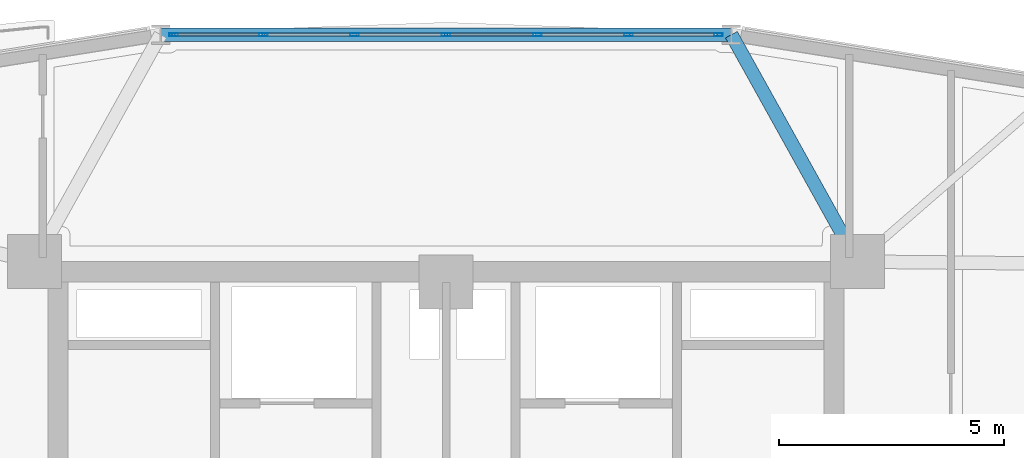
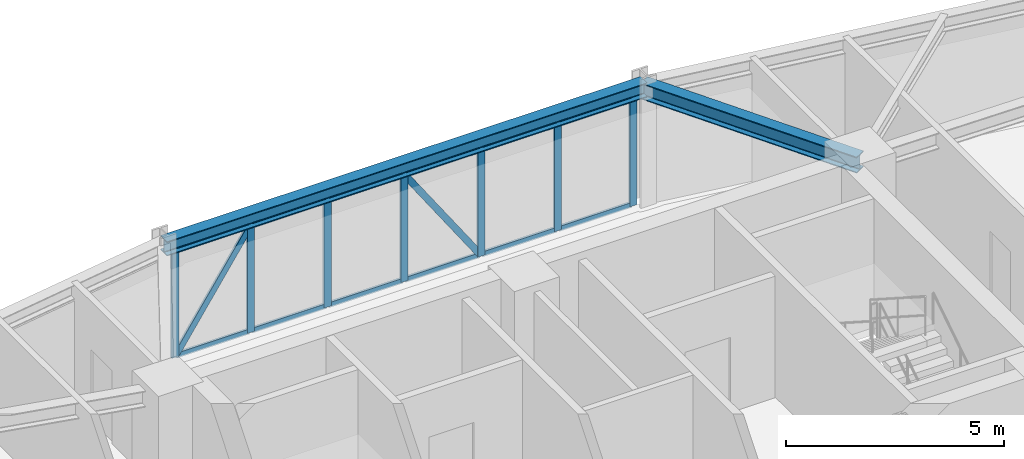
# One storey, part 10 of 18: 21 members, 2 beams, 1 element without a shape of its own.
"""IFC4 building model written with IfcOpenShell, lengths in metres."""

from ifc_helpers import new_model, si_unit, derived_unit, direction, frame, origin, origin_2d, place, context, subcontext, project, spatial, hollow_rectangle, i_section, extrude, source, transform, mapped, material, layer, layer_set, material_profile, profile_set, type_object, element, aggregate, save


model = new_model("IFC4")

# Units and contexts
model_context = context("Model", 3, precision=1e-05, world=origin(), true_north=direction((0.0, 1.0)))
body_context = subcontext(model_context, "Body", "Model", "MODEL_VIEW")
ifc_project = project(units=[si_unit("LENGTHUNIT", "METRE"), si_unit("AREAUNIT", "SQUARE_METRE"), si_unit("VOLUMEUNIT", "CUBIC_METRE"), si_unit("PLANEANGLEUNIT", "RADIAN"), si_unit("MASSUNIT", "GRAM", prefix="KILO"), derived_unit("THERMALTRANSMITTANCEUNIT", [(si_unit("POWERUNIT", "WATT"), 1), (si_unit("LENGTHUNIT", "METRE"), -2), (si_unit("THERMODYNAMICTEMPERATUREUNIT", "KELVIN"), -1)])], contexts=[model_context])

# Site, building, storey
site_placement = place(None, origin())
site = spatial("IfcSite", under=ifc_project, at=site_placement, CompositionType="ELEMENT")
building_placement = place(site_placement, origin())
building = spatial("IfcBuilding", under=site, at=building_placement, Name="Korsvarv Bourse and Concert Hall", CompositionType="ELEMENT")
storey_placement = place(building_placement, frame((0.0, 0.0, 168.60009765625)))
storey = spatial("IfcBuildingStorey", under=building, at=storey_placement, Name="L43", CompositionType="ELEMENT", Elevation=168.60009765625)

# Beams
ifc_material_1 = material(Name="Steel S355", Category="steel")
ifc_material_profile_1 = material_profile(ifc_material_1, i_section(OverallWidth=0.300048828125, OverallDepth=0.39990234375, WebThickness=0.013427734375, FlangeThickness=0.02392578125, FilletRadius=0.02099609375, at=origin_2d()), Name="HEB 400")
ifc_profile_set_1 = profile_set([ifc_material_profile_1], Name="Steel S355")
beam_type_1 = type_object("IfcBeamType", Name="BM-HEB400", PredefinedType="SPANDREL", material=ifc_profile_set_1)
shared_shape_1 = source(origin(), body_context, "Body", "SweptSolid", [
    extrude(i_section(OverallWidth=0.300048828125, OverallDepth=0.39990234375, WebThickness=0.013427734375, FlangeThickness=0.02392578125, FilletRadius=0.02099609375, at=origin_2d()), origin(), (0.0, 0.0, 1.0), 12.69189453125),
])
beam_1_placement = place(storey_placement, frame((42.345947265625, 52.2958984375, 3.199951171875), z_axis=(-1.0, 0.0, 0.0), x_axis=(0.0, -1.0, 0.0)))
element("IfcBeam", 1, at=beam_1_placement, inside=storey, type_object=beam_type_1, Name="L43 beam B-09", PredefinedType="SPANDREL", context=body_context, shape_type="MappedRepresentation", body=[
    mapped(shared_shape_1, transform((0.0, 0.0, 0.0), scale=1.0)),
])
ifc_material_profile_2 = material_profile(ifc_material_1, i_section(OverallWidth=0.300048828125, OverallDepth=0.449951171875, WebThickness=0.013916015625, FlangeThickness=0.02587890625, FilletRadius=0.02099609375, at=origin_2d()), Name="HEB 450")
ifc_profile_set_2 = profile_set([ifc_material_profile_2], Name="Steel S355")
beam_type_2 = type_object("IfcBeamType", Name="BM-HEB450", PredefinedType="SPANDREL", material=ifc_profile_set_2)
shared_shape_2 = source(origin(), body_context, "Body", "SweptSolid", [
    extrude(i_section(OverallWidth=0.300048828125, OverallDepth=0.449951171875, WebThickness=0.013916015625, FlangeThickness=0.02587890625, FilletRadius=0.02099609375, at=origin_2d()), origin(), (0.0, 0.0, 1.0), 5.772705078125),
])
beam_2_placement = place(storey_placement, frame((42.345947265625, 52.2958984375, 3.1748046875), z_axis=(0.485732701051, -0.874107397938, 0.0), x_axis=(0.874107397938, 0.485732701051, 0.0)))
element("IfcBeam", 2, at=beam_2_placement, inside=storey, type_object=beam_type_2, Name="L43 beam B-08", PredefinedType="SPANDREL", context=body_context, shape_type="MappedRepresentation", body=[
    mapped(shared_shape_2, transform((0.0, 0.0, 0.0), scale=1.0)),
])

# Curtain wall, members
ifc_material_2 = material(Name="Anodised aluminium and triple low-E glazing", Category="glass")
ifc_layer = layer(ifc_material_2, 0.2099609375)
ifc_layer_set = layer_set([ifc_layer], Name="Anodised aluminium and triple low-E glazing")
curtain_wall_type = type_object("IfcCurtainWallType", Name="CW-SYS-2", PredefinedType="NOTDEFINED", material=ifc_layer_set)
curtain_wall_placement = place(storey_placement, origin())
curtain_wall = element("IfcCurtainWall", 3, at=curtain_wall_placement, inside=storey, type_object=curtain_wall_type, Name="L43 CW2 curtain wall CW-L43-F03", PredefinedType="NOTDEFINED")
ifc_material_3 = material(Name="Extruded aluminium EN AW-6063 T66", Category="aluminium")
ifc_material_profile_3 = material_profile(ifc_material_3, hollow_rectangle(XDim=0.070068359375, YDim=0.18994140625, WallThickness=0.0048828125, at=origin_2d()), Name="ALU-M 70x190")
ifc_profile_set_3 = profile_set([ifc_material_profile_3], Name="Extruded aluminium EN AW-6063 T66")
member_type_1 = type_object("IfcMemberType", Name="CWM-190", PredefinedType="MULLION", material=ifc_profile_set_3)
shared_shape_3 = source(origin(), body_context, "Body", "SweptSolid", [
    extrude(hollow_rectangle(XDim=0.070068359375, YDim=0.18994140625, WallThickness=0.0048828125, at=origin_2d()), origin(), (0.0, 0.0, 1.0), 3.0),
])
member_1_placement = place(storey_placement, frame((42.054931640625, 52.2958984375, 0.0), z_axis=(0.0, 0.0, 1.0), x_axis=(0.0, -1.0, 0.0)))
member_1 = element("IfcMember", 4, at=member_1_placement, type_object=member_type_1, Name="CW2 mullion 1", PredefinedType="MULLION", context=body_context, shape_type="MappedRepresentation", body=[
    mapped(shared_shape_3, transform((0.0, 0.0, 0.0), scale=1.0)),
])
member_2_placement = place(storey_placement, frame((40.06005859375, 52.2958984375, 0.0), z_axis=(0.0, 0.0, 1.0), x_axis=(0.0, -1.0, 0.0)))
member_2 = element("IfcMember", 5, at=member_2_placement, type_object=member_type_1, Name="CW2 mullion 2", PredefinedType="MULLION", context=body_context, shape_type="MappedRepresentation", body=[
    mapped(shared_shape_3, transform((0.0, 0.0, 0.0), scale=1.0)),
])
member_3_placement = place(storey_placement, frame((38.030029296875, 52.2958984375, 0.0), z_axis=(0.0, 0.0, 1.0), x_axis=(0.0, -1.0, 0.0)))
member_3 = element("IfcMember", 6, at=member_3_placement, type_object=member_type_1, Name="CW2 mullion 3", PredefinedType="MULLION", context=body_context, shape_type="MappedRepresentation", body=[
    mapped(shared_shape_3, transform((0.0, 0.0, 0.0), scale=1.0)),
])
member_4_placement = place(storey_placement, frame((36.0, 52.2958984375, 0.0), z_axis=(0.0, 0.0, 1.0), x_axis=(0.0, -1.0, 0.0)))
member_4 = element("IfcMember", 7, at=member_4_placement, type_object=member_type_1, Name="CW2 mullion 4", PredefinedType="MULLION", context=body_context, shape_type="MappedRepresentation", body=[
    mapped(shared_shape_3, transform((0.0, 0.0, 0.0), scale=1.0)),
])
member_5_placement = place(storey_placement, frame((33.969970703125, 52.2958984375, 0.0), z_axis=(0.0, 0.0, 1.0), x_axis=(0.0, -1.0, 0.0)))
member_5 = element("IfcMember", 8, at=member_5_placement, type_object=member_type_1, Name="CW2 mullion 5", PredefinedType="MULLION", context=body_context, shape_type="MappedRepresentation", body=[
    mapped(shared_shape_3, transform((0.0, 0.0, 0.0), scale=1.0)),
])
member_6_placement = place(storey_placement, frame((31.93994140625, 52.2958984375, 0.0), z_axis=(0.0, 0.0, 1.0), x_axis=(0.0, -1.0, 0.0)))
member_6 = element("IfcMember", 9, at=member_6_placement, type_object=member_type_1, Name="CW2 mullion 6", PredefinedType="MULLION", context=body_context, shape_type="MappedRepresentation", body=[
    mapped(shared_shape_3, transform((0.0, 0.0, 0.0), scale=1.0)),
])
member_7_placement = place(storey_placement, frame((29.945068359375, 52.2958984375, 0.0), z_axis=(0.0, 0.0, 1.0), x_axis=(0.0, -1.0, 0.0)))
member_7 = element("IfcMember", 10, at=member_7_placement, type_object=member_type_1, Name="CW2 mullion 7", PredefinedType="MULLION", context=body_context, shape_type="MappedRepresentation", body=[
    mapped(shared_shape_3, transform((0.0, 0.0, 0.0), scale=1.0)),
])
ifc_material_profile_4 = material_profile(ifc_material_3, hollow_rectangle(XDim=0.06494140625, YDim=0.139892578125, WallThickness=0.00390625, at=origin_2d()), Name="ALU-T 65x140")
ifc_profile_set_4 = profile_set([ifc_material_profile_4], Name="Extruded aluminium EN AW-6063 T66")
member_type_2 = type_object("IfcMemberType", Name="CWT-140", PredefinedType="USERDEFINED", material=ifc_profile_set_4)
shared_shape_4 = source(origin(), body_context, "Body", "SweptSolid", [
    extrude(hollow_rectangle(XDim=0.06494140625, YDim=0.139892578125, WallThickness=0.00390625, at=origin_2d()), origin(), (0.0, 0.0, 1.0), 1.925048828125),
])
member_8_placement = place(storey_placement, frame((42.02001953125, 52.2958984375, 0.032470703125), z_axis=(-1.0, 0.0, 0.0), x_axis=(0.0, -1.0, 0.0)))
member_8 = element("IfcMember", 11, at=member_8_placement, type_object=member_type_2, Name="CW2 transom 1.1", ObjectType="TRANSOM", PredefinedType="USERDEFINED", context=body_context, shape_type="MappedRepresentation", body=[
    mapped(shared_shape_4, transform((0.0, 0.0, 0.0), scale=1.0)),
])
member_9_placement = place(storey_placement, frame((42.02001953125, 52.2958984375, 2.96728515625), z_axis=(-1.0, 0.0, 0.0), x_axis=(0.0, -1.0, 0.0)))
member_9 = element("IfcMember", 12, at=member_9_placement, type_object=member_type_2, Name="CW2 transom 1.2", ObjectType="TRANSOM", PredefinedType="USERDEFINED", context=body_context, shape_type="MappedRepresentation", body=[
    mapped(shared_shape_4, transform((0.0, 0.0, 0.0), scale=1.0)),
])
member_10_placement = place(storey_placement, frame((31.905029296875, 52.2958984375, 0.032470703125), z_axis=(-1.0, 0.0, 0.0), x_axis=(0.0, -1.0, 0.0)))
member_10 = element("IfcMember", 13, at=member_10_placement, type_object=member_type_2, Name="CW2 transom 6.1", ObjectType="TRANSOM", PredefinedType="USERDEFINED", context=body_context, shape_type="MappedRepresentation", body=[
    mapped(shared_shape_4, transform((0.0, 0.0, 0.0), scale=1.0)),
])
member_11_placement = place(storey_placement, frame((31.905029296875, 52.2958984375, 2.96728515625), z_axis=(-1.0, 0.0, 0.0), x_axis=(0.0, -1.0, 0.0)))
member_11 = element("IfcMember", 14, at=member_11_placement, type_object=member_type_2, Name="CW2 transom 6.2", ObjectType="TRANSOM", PredefinedType="USERDEFINED", context=body_context, shape_type="MappedRepresentation", body=[
    mapped(shared_shape_4, transform((0.0, 0.0, 0.0), scale=1.0)),
])
shared_shape_5 = source(origin(), body_context, "Body", "SweptSolid", [
    extrude(hollow_rectangle(XDim=0.06494140625, YDim=0.139892578125, WallThickness=0.00390625, at=origin_2d()), origin(), (0.0, 0.0, 1.0), 1.9599609375),
])
member_12_placement = place(storey_placement, frame((40.02490234375, 52.2958984375, 0.032470703125), z_axis=(-1.0, 0.0, 0.0), x_axis=(0.0, -1.0, 0.0)))
member_12 = element("IfcMember", 15, at=member_12_placement, type_object=member_type_2, Name="CW2 transom 2.1", ObjectType="TRANSOM", PredefinedType="USERDEFINED", context=body_context, shape_type="MappedRepresentation", body=[
    mapped(shared_shape_5, transform((0.0, 0.0, 0.0), scale=1.0)),
])
member_13_placement = place(storey_placement, frame((40.02490234375, 52.2958984375, 2.96728515625), z_axis=(-1.0, 0.0, 0.0), x_axis=(0.0, -1.0, 0.0)))
member_13 = element("IfcMember", 16, at=member_13_placement, type_object=member_type_2, Name="CW2 transom 2.2", ObjectType="TRANSOM", PredefinedType="USERDEFINED", context=body_context, shape_type="MappedRepresentation", body=[
    mapped(shared_shape_5, transform((0.0, 0.0, 0.0), scale=1.0)),
])
member_14_placement = place(storey_placement, frame((33.93505859375, 52.2958984375, 0.032470703125), z_axis=(-1.0, 0.0, 0.0), x_axis=(0.0, -1.0, 0.0)))
member_14 = element("IfcMember", 17, at=member_14_placement, type_object=member_type_2, Name="CW2 transom 5.1", ObjectType="TRANSOM", PredefinedType="USERDEFINED", context=body_context, shape_type="MappedRepresentation", body=[
    mapped(shared_shape_5, transform((0.0, 0.0, 0.0), scale=1.0)),
])
member_15_placement = place(storey_placement, frame((33.93505859375, 52.2958984375, 2.96728515625), z_axis=(-1.0, 0.0, 0.0), x_axis=(0.0, -1.0, 0.0)))
member_15 = element("IfcMember", 18, at=member_15_placement, type_object=member_type_2, Name="CW2 transom 5.2", ObjectType="TRANSOM", PredefinedType="USERDEFINED", context=body_context, shape_type="MappedRepresentation", body=[
    mapped(shared_shape_5, transform((0.0, 0.0, 0.0), scale=1.0)),
])
shared_shape_6 = source(origin(), body_context, "Body", "SweptSolid", [
    extrude(hollow_rectangle(XDim=0.06494140625, YDim=0.139892578125, WallThickness=0.00390625, at=origin_2d()), origin(), (0.0, 0.0, 1.0), 1.960205078125),
])
member_16_placement = place(storey_placement, frame((37.9951171875, 52.2958984375, 0.032470703125), z_axis=(-1.0, 0.0, 0.0), x_axis=(0.0, -1.0, 0.0)))
member_16 = element("IfcMember", 19, at=member_16_placement, type_object=member_type_2, Name="CW2 transom 3.1", ObjectType="TRANSOM", PredefinedType="USERDEFINED", context=body_context, shape_type="MappedRepresentation", body=[
    mapped(shared_shape_6, transform((0.0, 0.0, 0.0), scale=1.0)),
])
member_17_placement = place(storey_placement, frame((37.9951171875, 52.2958984375, 2.96728515625), z_axis=(-1.0, 0.0, 0.0), x_axis=(0.0, -1.0, 0.0)))
member_17 = element("IfcMember", 20, at=member_17_placement, type_object=member_type_2, Name="CW2 transom 3.2", ObjectType="TRANSOM", PredefinedType="USERDEFINED", context=body_context, shape_type="MappedRepresentation", body=[
    mapped(shared_shape_6, transform((0.0, 0.0, 0.0), scale=1.0)),
])
member_18_placement = place(storey_placement, frame((35.965087890625, 52.2958984375, 0.032470703125), z_axis=(-1.0, 0.0, 0.0), x_axis=(0.0, -1.0, 0.0)))
member_18 = element("IfcMember", 21, at=member_18_placement, type_object=member_type_2, Name="CW2 transom 4.1", ObjectType="TRANSOM", PredefinedType="USERDEFINED", context=body_context, shape_type="MappedRepresentation", body=[
    mapped(shared_shape_6, transform((0.0, 0.0, 0.0), scale=1.0)),
])
member_19_placement = place(storey_placement, frame((35.965087890625, 52.2958984375, 2.96728515625), z_axis=(-1.0, 0.0, 0.0), x_axis=(0.0, -1.0, 0.0)))
member_19 = element("IfcMember", 22, at=member_19_placement, type_object=member_type_2, Name="CW2 transom 4.2", ObjectType="TRANSOM", PredefinedType="USERDEFINED", context=body_context, shape_type="MappedRepresentation", body=[
    mapped(shared_shape_6, transform((0.0, 0.0, 0.0), scale=1.0)),
])
ifc_material_profile_5 = material_profile(ifc_material_3, hollow_rectangle(XDim=0.06494140625, YDim=0.1650390625, WallThickness=0.0048828125, at=origin_2d()), Name="ALU-M 65x165")
ifc_profile_set_5 = profile_set([ifc_material_profile_5], Name="Extruded aluminium EN AW-6063 T66")
member_type_3 = type_object("IfcMemberType", Name="CWM-165", PredefinedType="MULLION", material=ifc_profile_set_5)
shared_shape_7 = source(origin(), body_context, "Body", "SweptSolid", [
    extrude(hollow_rectangle(XDim=0.06494140625, YDim=0.1650390625, WallThickness=0.0048828125, at=origin_2d()), origin(), (0.0, 0.0, 1.0), 3.475341796875),
])
member_20_placement = place(storey_placement, frame((37.9951171875, 52.2958984375, 0.06494140625), z_axis=(-0.564018897402, 0.0, 0.825761880553), x_axis=(0.0, -1.0, 0.0)))
member_20 = element("IfcMember", 23, at=member_20_placement, type_object=member_type_3, Name="CW2 diagonal mullion 3", PredefinedType="MULLION", context=body_context, shape_type="MappedRepresentation", body=[
    mapped(shared_shape_7, transform((0.0, 0.0, 0.0), scale=1.0)),
])
shared_shape_8 = source(origin(), body_context, "Body", "SweptSolid", [
    extrude(hollow_rectangle(XDim=0.06494140625, YDim=0.1650390625, WallThickness=0.0048828125, at=origin_2d()), origin(), (0.0, 0.0, 1.0), 3.455810546875),
])
member_21_placement = place(storey_placement, frame((29.97998046875, 52.2958984375, 0.06494140625), z_axis=(0.557061958661, 0.0, 0.830470935201), x_axis=(0.0, 1.0, 0.0)))
member_21 = element("IfcMember", 24, at=member_21_placement, type_object=member_type_3, Name="CW2 diagonal mullion 6", PredefinedType="MULLION", context=body_context, shape_type="MappedRepresentation", body=[
    mapped(shared_shape_8, transform((0.0, 0.0, 0.0), scale=1.0)),
])
aggregate(curtain_wall, [member_1, member_2, member_3, member_4, member_5, member_6, member_7, member_8, member_9, member_12, member_13, member_16, member_17, member_20, member_18, member_19, member_14, member_15, member_10, member_11, member_21])

save(model, "model.ifc")
